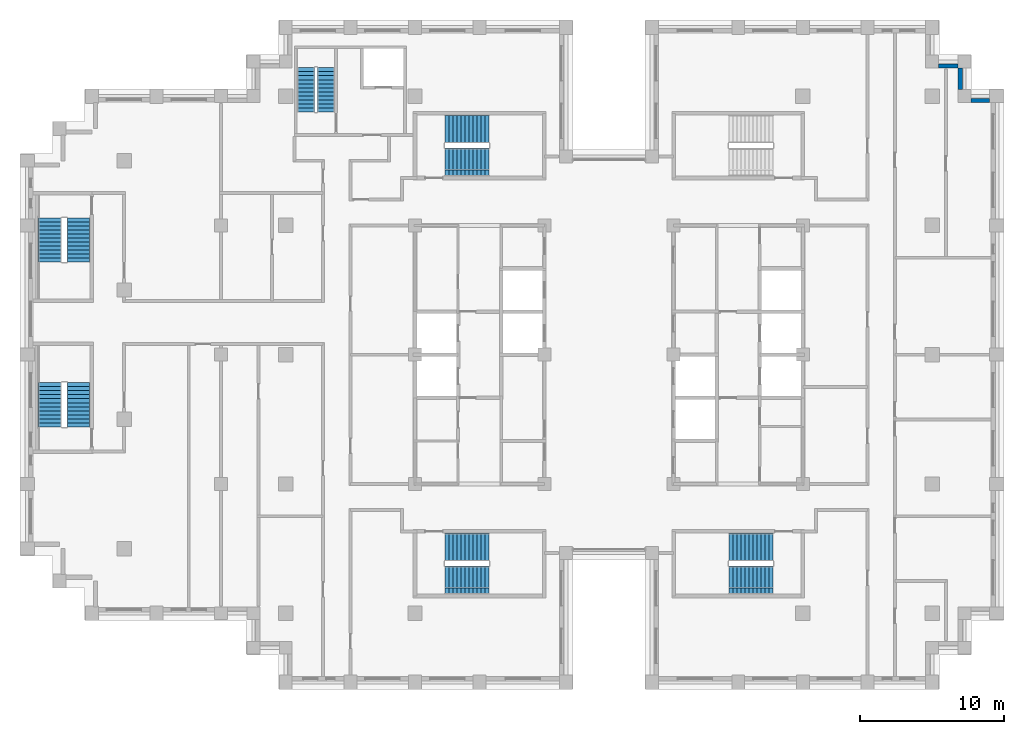
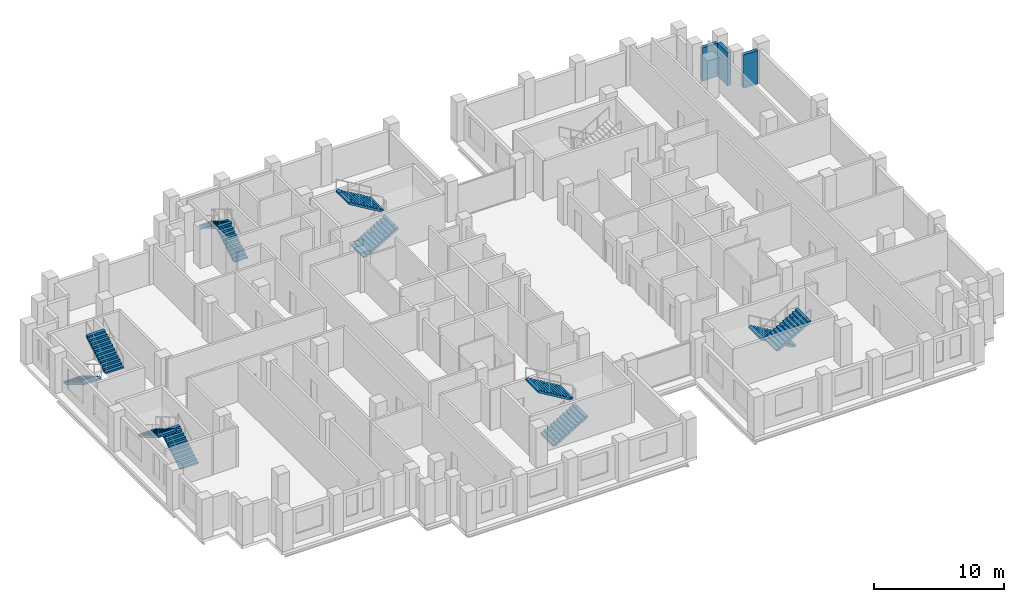
# One storey, part 12 of 15: 12 stair flights, 3 walls, 6 elements without a shape of their own.
"""IFC4 building model written with IfcOpenShell, lengths in metres."""

from ifc_helpers import new_model, si_unit, direction, frame, frame_2d, origin, place, context, subcontext, project, spatial, polyline, rectangle, outline, extrude, material, layer, layer_set, type_object, element, aggregate, save


model = new_model("IFC4")

# Units and contexts
model_context = context("Model", 3, precision=1e-05, world=origin(), true_north=direction((0.0, 1.0)))
body_context = subcontext(model_context, "Body", "Model", "MODEL_VIEW")
ifc_project = project(units=[si_unit("LENGTHUNIT", "METRE"), si_unit("AREAUNIT", "SQUARE_METRE"), si_unit("VOLUMEUNIT", "CUBIC_METRE"), si_unit("PLANEANGLEUNIT", "RADIAN"), si_unit("MASSUNIT", "GRAM", prefix="KILO")], contexts=[model_context])

# Site, building, storey
site_placement = place(None, origin())
site = spatial("IfcSite", under=ifc_project, at=site_placement, CompositionType="ELEMENT")
building_placement = place(site_placement, origin())
building = spatial("IfcBuilding", under=site, at=building_placement, Name="Corbelhall Arena Tower", CompositionType="ELEMENT")
storey_placement = place(building_placement, frame((0.0, 0.0, 200.0)))
storey = spatial("IfcBuildingStorey", under=building, at=storey_placement, Name="L41", CompositionType="ELEMENT", Elevation=200.0)

# Walls
ifc_material_1 = material(Name="Precast concrete C40/50 with granite facing", Category="masonry")
ifc_layer = layer(ifc_material_1, 0.300048828125)
ifc_layer_set = layer_set([ifc_layer], Name="EV-IW1 Infill panel 300")
wall_type = type_object("IfcWallType", Name="EV-IW1 Infill panel 300", PredefinedType="SOLIDWALL", material=ifc_layer_set)
wall_1_placement = place(storey_placement, frame((26.5, 17.699951171875, 0.0), z_axis=(0.0, 0.0, 1.0), x_axis=(-1.0, 0.0, 0.0)))
element("IfcWall", 1, at=wall_1_placement, inside=storey, type_object=wall_type, Name="Infill panel IW1", PredefinedType="SOLIDWALL", context=body_context, shape_type="SweptSolid", body=[
    extrude(rectangle(XDim=1.300048828125, YDim=0.300048828125, at=frame_2d((0.64990234375, 0.0))), origin(), (0.0, 0.0, 1.0), 3.1201171875),
])
wall_2_placement = place(storey_placement, frame((24.449951171875, 18.449951171875, 0.0), z_axis=(0.0, 0.0, 1.0), x_axis=(0.0, 1.0, 0.0)))
element("IfcWall", 2, at=wall_2_placement, inside=storey, type_object=wall_type, Name="Infill panel IW1", PredefinedType="SOLIDWALL", context=body_context, shape_type="SweptSolid", body=[
    extrude(rectangle(XDim=1.5, YDim=0.300048828125, at=frame_2d((0.75, 0.0))), origin(), (0.0, 0.0, 1.0), 3.1201171875),
])
wall_3_placement = place(storey_placement, frame((24.300048828125, 20.10009765625, 0.0), z_axis=(0.0, 0.0, 1.0), x_axis=(-1.0, 0.0, 0.0)))
element("IfcWall", 3, at=wall_3_placement, inside=storey, type_object=wall_type, Name="Infill panel IW1", PredefinedType="SOLIDWALL", context=body_context, shape_type="SweptSolid", body=[
    extrude(rectangle(XDim=1.35009765625, YDim=0.300048828125, at=frame_2d((0.675048828125, 0.0))), origin(), (0.0, 0.0, 1.0), 3.1201171875),
])

# Stair, stair flights
ifc_material_2 = material(Name="Concrete C40/50", Category="concrete")
stair_type = type_object("IfcStairType", Name="IN-ST-TOWER", PredefinedType="HALF_TURN_STAIR", material=ifc_material_2)
stair_1_placement = place(storey_placement, origin())
stair_1 = element("IfcStair", 4, at=stair_1_placement, inside=storey, type_object=stair_type, Name="L41 Exit stair ST1", PredefinedType="HALF_TURN_STAIR")
stair_flight_type = type_object("IfcStairFlightType", Name="IN-SFL-RC", PredefinedType="STRAIGHT", material=ifc_material_2)
stair_flight_1_placement = place(storey_placement, frame((-11.425048828125, 13.39990234375, 0.0), z_axis=(0.0, 0.0, 1.0), x_axis=(1.0, 0.0, 0.0)))
stair_flight_1 = element("IfcStairFlight", 5, at=stair_flight_1_placement, type_object=stair_flight_type, Name="ST1 flight 1", NumberOfRisers=12, NumberOfTreads=11, PredefinedType="STRAIGHT", RiserHeight=0.166666667, TreadLength=0.28, context=body_context, shape_type="SweptSolid", body=[
    extrude(outline(polyline([(0.0, 0.0), (0.0, 0.166748046875), (0.280029296875, 0.166748046875), (0.280029296875, 0.333251953125), (0.56005859375, 0.333251953125), (0.56005859375, 0.5), (0.840087890625, 0.5), (0.840087890625, 0.666748046875), (1.1201171875, 0.666748046875), (1.1201171875, 0.833251953125), (1.39990234375, 0.833251953125), (1.39990234375, 1.0), (1.679931640625, 1.0), (1.679931640625, 1.166748046875), (1.9599609375, 1.166748046875), (1.9599609375, 1.333251953125), (2.239990234375, 1.333251953125), (2.239990234375, 1.5), (2.52001953125, 1.5), (2.52001953125, 1.666748046875), (2.800048828125, 1.666748046875), (2.800048828125, 1.833251953125), (3.080078125, 1.833251953125), (3.080078125, 2.0), (3.080078125, 1.658935546875), (0.29296875, 0.0), (0.0, 0.0)])), frame((0.0, 0.97509765625, 0.0), z_axis=(0.0, -1.0, 0.0), x_axis=(1.0, 0.0, 0.0)), (0.0, 0.0, 1.0), 0.449951171875),
    extrude(outline(polyline([(0.0, 0.0), (0.0, 0.166748046875), (0.280029296875, 0.166748046875), (0.280029296875, 0.333251953125), (0.56005859375, 0.333251953125), (0.56005859375, 0.5), (0.840087890625, 0.5), (0.840087890625, 0.666748046875), (1.1201171875, 0.666748046875), (1.1201171875, 0.833251953125), (1.39990234375, 0.833251953125), (1.39990234375, 1.0), (1.679931640625, 1.0), (1.679931640625, 1.166748046875), (1.9599609375, 1.166748046875), (1.9599609375, 1.333251953125), (2.239990234375, 1.333251953125), (2.239990234375, 1.5), (2.52001953125, 1.5), (2.52001953125, 1.666748046875), (2.800048828125, 1.666748046875), (2.800048828125, 1.833251953125), (3.080078125, 1.833251953125), (3.080078125, 2.0), (3.080078125, 1.658935546875), (0.29296875, 0.0), (0.0, 0.0)])), frame((0.0, 0.52099609375, 0.0), z_axis=(0.0, -1.0, 0.0), x_axis=(1.0, 0.0, 0.0)), (0.0, 0.0, 1.0), 1.0419921875),
    extrude(outline(polyline([(0.0, 0.0), (0.0, 0.166748046875), (0.280029296875, 0.166748046875), (0.280029296875, 0.333251953125), (0.56005859375, 0.333251953125), (0.56005859375, 0.5), (0.840087890625, 0.5), (0.840087890625, 0.666748046875), (1.1201171875, 0.666748046875), (1.1201171875, 0.833251953125), (1.39990234375, 0.833251953125), (1.39990234375, 1.0), (1.679931640625, 1.0), (1.679931640625, 1.166748046875), (1.9599609375, 1.166748046875), (1.9599609375, 1.333251953125), (2.239990234375, 1.333251953125), (2.239990234375, 1.5), (2.52001953125, 1.5), (2.52001953125, 1.666748046875), (2.800048828125, 1.666748046875), (2.800048828125, 1.833251953125), (3.080078125, 1.833251953125), (3.080078125, 2.0), (3.080078125, 1.658935546875), (0.29296875, 0.0), (0.0, 0.0)])), frame((0.0, -0.52490234375, 0.0), z_axis=(0.0, -1.0, 0.0), x_axis=(1.0, 0.0, 0.0)), (0.0, 0.0, 1.0), 0.449951171875),
])
stair_flight_2_placement = place(storey_placement, frame((-8.344970703125, 15.699951171875, 2.0), z_axis=(0.0, 0.0, 1.0), x_axis=(-1.0, 0.0, 0.0)))
stair_flight_2 = element("IfcStairFlight", 6, at=stair_flight_2_placement, type_object=stair_flight_type, Name="ST1 flight 2", NumberOfRisers=12, NumberOfTreads=11, PredefinedType="STRAIGHT", RiserHeight=0.166666667, TreadLength=0.28, context=body_context, shape_type="SweptSolid", body=[
    extrude(outline(polyline([(0.0, 0.0), (0.0, 0.166748046875), (0.280029296875, 0.166748046875), (0.280029296875, 0.333251953125), (0.56005859375, 0.333251953125), (0.56005859375, 0.5), (0.840087890625, 0.5), (0.840087890625, 0.666748046875), (1.1201171875, 0.666748046875), (1.1201171875, 0.833251953125), (1.39990234375, 0.833251953125), (1.39990234375, 1.0), (1.679931640625, 1.0), (1.679931640625, 1.166748046875), (1.9599609375, 1.166748046875), (1.9599609375, 1.333251953125), (2.239990234375, 1.333251953125), (2.239990234375, 1.5), (2.52001953125, 1.5), (2.52001953125, 1.666748046875), (2.800048828125, 1.666748046875), (2.800048828125, 1.833251953125), (3.080078125, 1.833251953125), (3.080078125, 2.0), (3.080078125, 1.658935546875), (0.29296875, 0.0), (0.0, 0.0)])), frame((0.0, 0.97509765625, 0.0), z_axis=(0.0, -1.0, 0.0), x_axis=(1.0, 0.0, 0.0)), (0.0, 0.0, 1.0), 0.449951171875),
    extrude(outline(polyline([(0.0, 0.0), (0.0, 0.166748046875), (0.280029296875, 0.166748046875), (0.280029296875, 0.333251953125), (0.56005859375, 0.333251953125), (0.56005859375, 0.5), (0.840087890625, 0.5), (0.840087890625, 0.666748046875), (1.1201171875, 0.666748046875), (1.1201171875, 0.833251953125), (1.39990234375, 0.833251953125), (1.39990234375, 1.0), (1.679931640625, 1.0), (1.679931640625, 1.166748046875), (1.9599609375, 1.166748046875), (1.9599609375, 1.333251953125), (2.239990234375, 1.333251953125), (2.239990234375, 1.5), (2.52001953125, 1.5), (2.52001953125, 1.666748046875), (2.800048828125, 1.666748046875), (2.800048828125, 1.833251953125), (3.080078125, 1.833251953125), (3.080078125, 2.0), (3.080078125, 1.658935546875), (0.29296875, 0.0), (0.0, 0.0)])), frame((0.0, 0.52099609375, 0.0), z_axis=(0.0, -1.0, 0.0), x_axis=(1.0, 0.0, 0.0)), (0.0, 0.0, 1.0), 1.0419921875),
    extrude(outline(polyline([(0.0, 0.0), (0.0, 0.166748046875), (0.280029296875, 0.166748046875), (0.280029296875, 0.333251953125), (0.56005859375, 0.333251953125), (0.56005859375, 0.5), (0.840087890625, 0.5), (0.840087890625, 0.666748046875), (1.1201171875, 0.666748046875), (1.1201171875, 0.833251953125), (1.39990234375, 0.833251953125), (1.39990234375, 1.0), (1.679931640625, 1.0), (1.679931640625, 1.166748046875), (1.9599609375, 1.166748046875), (1.9599609375, 1.333251953125), (2.239990234375, 1.333251953125), (2.239990234375, 1.5), (2.52001953125, 1.5), (2.52001953125, 1.666748046875), (2.800048828125, 1.666748046875), (2.800048828125, 1.833251953125), (3.080078125, 1.833251953125), (3.080078125, 2.0), (3.080078125, 1.658935546875), (0.29296875, 0.0), (0.0, 0.0)])), frame((0.0, -0.52490234375, 0.0), z_axis=(0.0, -1.0, 0.0), x_axis=(1.0, 0.0, 0.0)), (0.0, 0.0, 1.0), 0.449951171875),
])
aggregate(stair_1, [stair_flight_1, stair_flight_2])

stair_2_placement = place(storey_placement, origin())
stair_2 = element("IfcStair", 7, at=stair_2_placement, inside=storey, type_object=stair_type, Name="L41 Exit stair ST2", PredefinedType="HALF_TURN_STAIR")
stair_flight_3_placement = place(storey_placement, frame((-11.425048828125, -15.699951171875, 0.0), z_axis=(0.0, 0.0, 1.0), x_axis=(1.0, 0.0, 0.0)))
stair_flight_3 = element("IfcStairFlight", 8, at=stair_flight_3_placement, type_object=stair_flight_type, Name="ST2 flight 1", NumberOfRisers=12, NumberOfTreads=11, PredefinedType="STRAIGHT", RiserHeight=0.166666667, TreadLength=0.28, context=body_context, shape_type="SweptSolid", body=[
    extrude(outline(polyline([(0.0, 0.0), (0.0, 0.166748046875), (0.280029296875, 0.166748046875), (0.280029296875, 0.333251953125), (0.56005859375, 0.333251953125), (0.56005859375, 0.5), (0.840087890625, 0.5), (0.840087890625, 0.666748046875), (1.1201171875, 0.666748046875), (1.1201171875, 0.833251953125), (1.39990234375, 0.833251953125), (1.39990234375, 1.0), (1.679931640625, 1.0), (1.679931640625, 1.166748046875), (1.9599609375, 1.166748046875), (1.9599609375, 1.333251953125), (2.239990234375, 1.333251953125), (2.239990234375, 1.5), (2.52001953125, 1.5), (2.52001953125, 1.666748046875), (2.800048828125, 1.666748046875), (2.800048828125, 1.833251953125), (3.080078125, 1.833251953125), (3.080078125, 2.0), (3.080078125, 1.658935546875), (0.29296875, 0.0), (0.0, 0.0)])), frame((0.0, 0.97509765625, 0.0), z_axis=(0.0, -1.0, 0.0), x_axis=(1.0, 0.0, 0.0)), (0.0, 0.0, 1.0), 0.449951171875),
    extrude(outline(polyline([(0.0, 0.0), (0.0, 0.166748046875), (0.280029296875, 0.166748046875), (0.280029296875, 0.333251953125), (0.56005859375, 0.333251953125), (0.56005859375, 0.5), (0.840087890625, 0.5), (0.840087890625, 0.666748046875), (1.1201171875, 0.666748046875), (1.1201171875, 0.833251953125), (1.39990234375, 0.833251953125), (1.39990234375, 1.0), (1.679931640625, 1.0), (1.679931640625, 1.166748046875), (1.9599609375, 1.166748046875), (1.9599609375, 1.333251953125), (2.239990234375, 1.333251953125), (2.239990234375, 1.5), (2.52001953125, 1.5), (2.52001953125, 1.666748046875), (2.800048828125, 1.666748046875), (2.800048828125, 1.833251953125), (3.080078125, 1.833251953125), (3.080078125, 2.0), (3.080078125, 1.658935546875), (0.29296875, 0.0), (0.0, 0.0)])), frame((0.0, 0.52099609375, 0.0), z_axis=(0.0, -1.0, 0.0), x_axis=(1.0, 0.0, 0.0)), (0.0, 0.0, 1.0), 1.0419921875),
    extrude(outline(polyline([(0.0, 0.0), (0.0, 0.166748046875), (0.280029296875, 0.166748046875), (0.280029296875, 0.333251953125), (0.56005859375, 0.333251953125), (0.56005859375, 0.5), (0.840087890625, 0.5), (0.840087890625, 0.666748046875), (1.1201171875, 0.666748046875), (1.1201171875, 0.833251953125), (1.39990234375, 0.833251953125), (1.39990234375, 1.0), (1.679931640625, 1.0), (1.679931640625, 1.166748046875), (1.9599609375, 1.166748046875), (1.9599609375, 1.333251953125), (2.239990234375, 1.333251953125), (2.239990234375, 1.5), (2.52001953125, 1.5), (2.52001953125, 1.666748046875), (2.800048828125, 1.666748046875), (2.800048828125, 1.833251953125), (3.080078125, 1.833251953125), (3.080078125, 2.0), (3.080078125, 1.658935546875), (0.29296875, 0.0), (0.0, 0.0)])), frame((0.0, -0.52490234375, 0.0), z_axis=(0.0, -1.0, 0.0), x_axis=(1.0, 0.0, 0.0)), (0.0, 0.0, 1.0), 0.449951171875),
])
stair_flight_4_placement = place(storey_placement, frame((-8.344970703125, -13.39990234375, 2.0), z_axis=(0.0, 0.0, 1.0), x_axis=(-1.0, 0.0, 0.0)))
stair_flight_4 = element("IfcStairFlight", 9, at=stair_flight_4_placement, type_object=stair_flight_type, Name="ST2 flight 2", NumberOfRisers=12, NumberOfTreads=11, PredefinedType="STRAIGHT", RiserHeight=0.166666667, TreadLength=0.28, context=body_context, shape_type="SweptSolid", body=[
    extrude(outline(polyline([(0.0, 0.0), (0.0, 0.166748046875), (0.280029296875, 0.166748046875), (0.280029296875, 0.333251953125), (0.56005859375, 0.333251953125), (0.56005859375, 0.5), (0.840087890625, 0.5), (0.840087890625, 0.666748046875), (1.1201171875, 0.666748046875), (1.1201171875, 0.833251953125), (1.39990234375, 0.833251953125), (1.39990234375, 1.0), (1.679931640625, 1.0), (1.679931640625, 1.166748046875), (1.9599609375, 1.166748046875), (1.9599609375, 1.333251953125), (2.239990234375, 1.333251953125), (2.239990234375, 1.5), (2.52001953125, 1.5), (2.52001953125, 1.666748046875), (2.800048828125, 1.666748046875), (2.800048828125, 1.833251953125), (3.080078125, 1.833251953125), (3.080078125, 2.0), (3.080078125, 1.658935546875), (0.29296875, 0.0), (0.0, 0.0)])), frame((0.0, 0.97509765625, 0.0), z_axis=(0.0, -1.0, 0.0), x_axis=(1.0, 0.0, 0.0)), (0.0, 0.0, 1.0), 0.449951171875),
    extrude(outline(polyline([(0.0, 0.0), (0.0, 0.166748046875), (0.280029296875, 0.166748046875), (0.280029296875, 0.333251953125), (0.56005859375, 0.333251953125), (0.56005859375, 0.5), (0.840087890625, 0.5), (0.840087890625, 0.666748046875), (1.1201171875, 0.666748046875), (1.1201171875, 0.833251953125), (1.39990234375, 0.833251953125), (1.39990234375, 1.0), (1.679931640625, 1.0), (1.679931640625, 1.166748046875), (1.9599609375, 1.166748046875), (1.9599609375, 1.333251953125), (2.239990234375, 1.333251953125), (2.239990234375, 1.5), (2.52001953125, 1.5), (2.52001953125, 1.666748046875), (2.800048828125, 1.666748046875), (2.800048828125, 1.833251953125), (3.080078125, 1.833251953125), (3.080078125, 2.0), (3.080078125, 1.658935546875), (0.29296875, 0.0), (0.0, 0.0)])), frame((0.0, 0.52099609375, 0.0), z_axis=(0.0, -1.0, 0.0), x_axis=(1.0, 0.0, 0.0)), (0.0, 0.0, 1.0), 1.0419921875),
    extrude(outline(polyline([(0.0, 0.0), (0.0, 0.166748046875), (0.280029296875, 0.166748046875), (0.280029296875, 0.333251953125), (0.56005859375, 0.333251953125), (0.56005859375, 0.5), (0.840087890625, 0.5), (0.840087890625, 0.666748046875), (1.1201171875, 0.666748046875), (1.1201171875, 0.833251953125), (1.39990234375, 0.833251953125), (1.39990234375, 1.0), (1.679931640625, 1.0), (1.679931640625, 1.166748046875), (1.9599609375, 1.166748046875), (1.9599609375, 1.333251953125), (2.239990234375, 1.333251953125), (2.239990234375, 1.5), (2.52001953125, 1.5), (2.52001953125, 1.666748046875), (2.800048828125, 1.666748046875), (2.800048828125, 1.833251953125), (3.080078125, 1.833251953125), (3.080078125, 2.0), (3.080078125, 1.658935546875), (0.29296875, 0.0), (0.0, 0.0)])), frame((0.0, -0.52490234375, 0.0), z_axis=(0.0, -1.0, 0.0), x_axis=(1.0, 0.0, 0.0)), (0.0, 0.0, 1.0), 0.449951171875),
])
aggregate(stair_2, [stair_flight_3, stair_flight_4])

stair_3_placement = place(storey_placement, origin())
stair_3 = element("IfcStair", 10, at=stair_3_placement, inside=storey, type_object=stair_type, Name="L41 Exit stair ST4", PredefinedType="HALF_TURN_STAIR")
stair_flight_5_placement = place(storey_placement, frame((11.425048828125, -13.39990234375, 0.0), z_axis=(0.0, 0.0, 1.0), x_axis=(-1.0, 0.0, 0.0)))
stair_flight_5 = element("IfcStairFlight", 11, at=stair_flight_5_placement, type_object=stair_flight_type, Name="ST4 flight 1", NumberOfRisers=12, NumberOfTreads=11, PredefinedType="STRAIGHT", RiserHeight=0.166666667, TreadLength=0.28, context=body_context, shape_type="SweptSolid", body=[
    extrude(outline(polyline([(0.0, 0.0), (0.0, 0.166748046875), (0.280029296875, 0.166748046875), (0.280029296875, 0.333251953125), (0.56005859375, 0.333251953125), (0.56005859375, 0.5), (0.840087890625, 0.5), (0.840087890625, 0.666748046875), (1.1201171875, 0.666748046875), (1.1201171875, 0.833251953125), (1.39990234375, 0.833251953125), (1.39990234375, 1.0), (1.679931640625, 1.0), (1.679931640625, 1.166748046875), (1.9599609375, 1.166748046875), (1.9599609375, 1.333251953125), (2.239990234375, 1.333251953125), (2.239990234375, 1.5), (2.52001953125, 1.5), (2.52001953125, 1.666748046875), (2.800048828125, 1.666748046875), (2.800048828125, 1.833251953125), (3.080078125, 1.833251953125), (3.080078125, 2.0), (3.080078125, 1.658935546875), (0.29296875, 0.0), (0.0, 0.0)])), frame((0.0, 0.97509765625, 0.0), z_axis=(0.0, -1.0, 0.0), x_axis=(1.0, 0.0, 0.0)), (0.0, 0.0, 1.0), 0.449951171875),
    extrude(outline(polyline([(0.0, 0.0), (0.0, 0.166748046875), (0.280029296875, 0.166748046875), (0.280029296875, 0.333251953125), (0.56005859375, 0.333251953125), (0.56005859375, 0.5), (0.840087890625, 0.5), (0.840087890625, 0.666748046875), (1.1201171875, 0.666748046875), (1.1201171875, 0.833251953125), (1.39990234375, 0.833251953125), (1.39990234375, 1.0), (1.679931640625, 1.0), (1.679931640625, 1.166748046875), (1.9599609375, 1.166748046875), (1.9599609375, 1.333251953125), (2.239990234375, 1.333251953125), (2.239990234375, 1.5), (2.52001953125, 1.5), (2.52001953125, 1.666748046875), (2.800048828125, 1.666748046875), (2.800048828125, 1.833251953125), (3.080078125, 1.833251953125), (3.080078125, 2.0), (3.080078125, 1.658935546875), (0.29296875, 0.0), (0.0, 0.0)])), frame((0.0, 0.52099609375, 0.0), z_axis=(0.0, -1.0, 0.0), x_axis=(1.0, 0.0, 0.0)), (0.0, 0.0, 1.0), 1.0419921875),
    extrude(outline(polyline([(0.0, 0.0), (0.0, 0.166748046875), (0.280029296875, 0.166748046875), (0.280029296875, 0.333251953125), (0.56005859375, 0.333251953125), (0.56005859375, 0.5), (0.840087890625, 0.5), (0.840087890625, 0.666748046875), (1.1201171875, 0.666748046875), (1.1201171875, 0.833251953125), (1.39990234375, 0.833251953125), (1.39990234375, 1.0), (1.679931640625, 1.0), (1.679931640625, 1.166748046875), (1.9599609375, 1.166748046875), (1.9599609375, 1.333251953125), (2.239990234375, 1.333251953125), (2.239990234375, 1.5), (2.52001953125, 1.5), (2.52001953125, 1.666748046875), (2.800048828125, 1.666748046875), (2.800048828125, 1.833251953125), (3.080078125, 1.833251953125), (3.080078125, 2.0), (3.080078125, 1.658935546875), (0.29296875, 0.0), (0.0, 0.0)])), frame((0.0, -0.52490234375, 0.0), z_axis=(0.0, -1.0, 0.0), x_axis=(1.0, 0.0, 0.0)), (0.0, 0.0, 1.0), 0.449951171875),
])
stair_flight_6_placement = place(storey_placement, frame((8.344970703125, -15.699951171875, 2.0), z_axis=(0.0, 0.0, 1.0), x_axis=(1.0, 0.0, 0.0)))
stair_flight_6 = element("IfcStairFlight", 12, at=stair_flight_6_placement, type_object=stair_flight_type, Name="ST4 flight 2", NumberOfRisers=12, NumberOfTreads=11, PredefinedType="STRAIGHT", RiserHeight=0.166666667, TreadLength=0.28, context=body_context, shape_type="SweptSolid", body=[
    extrude(outline(polyline([(0.0, 0.0), (0.0, 0.166748046875), (0.280029296875, 0.166748046875), (0.280029296875, 0.333251953125), (0.56005859375, 0.333251953125), (0.56005859375, 0.5), (0.840087890625, 0.5), (0.840087890625, 0.666748046875), (1.1201171875, 0.666748046875), (1.1201171875, 0.833251953125), (1.39990234375, 0.833251953125), (1.39990234375, 1.0), (1.679931640625, 1.0), (1.679931640625, 1.166748046875), (1.9599609375, 1.166748046875), (1.9599609375, 1.333251953125), (2.239990234375, 1.333251953125), (2.239990234375, 1.5), (2.52001953125, 1.5), (2.52001953125, 1.666748046875), (2.800048828125, 1.666748046875), (2.800048828125, 1.833251953125), (3.080078125, 1.833251953125), (3.080078125, 2.0), (3.080078125, 1.658935546875), (0.29296875, 0.0), (0.0, 0.0)])), frame((0.0, 0.97509765625, 0.0), z_axis=(0.0, -1.0, 0.0), x_axis=(1.0, 0.0, 0.0)), (0.0, 0.0, 1.0), 0.449951171875),
    extrude(outline(polyline([(0.0, 0.0), (0.0, 0.166748046875), (0.280029296875, 0.166748046875), (0.280029296875, 0.333251953125), (0.56005859375, 0.333251953125), (0.56005859375, 0.5), (0.840087890625, 0.5), (0.840087890625, 0.666748046875), (1.1201171875, 0.666748046875), (1.1201171875, 0.833251953125), (1.39990234375, 0.833251953125), (1.39990234375, 1.0), (1.679931640625, 1.0), (1.679931640625, 1.166748046875), (1.9599609375, 1.166748046875), (1.9599609375, 1.333251953125), (2.239990234375, 1.333251953125), (2.239990234375, 1.5), (2.52001953125, 1.5), (2.52001953125, 1.666748046875), (2.800048828125, 1.666748046875), (2.800048828125, 1.833251953125), (3.080078125, 1.833251953125), (3.080078125, 2.0), (3.080078125, 1.658935546875), (0.29296875, 0.0), (0.0, 0.0)])), frame((0.0, 0.52099609375, 0.0), z_axis=(0.0, -1.0, 0.0), x_axis=(1.0, 0.0, 0.0)), (0.0, 0.0, 1.0), 1.0419921875),
    extrude(outline(polyline([(0.0, 0.0), (0.0, 0.166748046875), (0.280029296875, 0.166748046875), (0.280029296875, 0.333251953125), (0.56005859375, 0.333251953125), (0.56005859375, 0.5), (0.840087890625, 0.5), (0.840087890625, 0.666748046875), (1.1201171875, 0.666748046875), (1.1201171875, 0.833251953125), (1.39990234375, 0.833251953125), (1.39990234375, 1.0), (1.679931640625, 1.0), (1.679931640625, 1.166748046875), (1.9599609375, 1.166748046875), (1.9599609375, 1.333251953125), (2.239990234375, 1.333251953125), (2.239990234375, 1.5), (2.52001953125, 1.5), (2.52001953125, 1.666748046875), (2.800048828125, 1.666748046875), (2.800048828125, 1.833251953125), (3.080078125, 1.833251953125), (3.080078125, 2.0), (3.080078125, 1.658935546875), (0.29296875, 0.0), (0.0, 0.0)])), frame((0.0, -0.52490234375, 0.0), z_axis=(0.0, -1.0, 0.0), x_axis=(1.0, 0.0, 0.0)), (0.0, 0.0, 1.0), 0.449951171875),
])
aggregate(stair_3, [stair_flight_5, stair_flight_6])

stair_4_placement = place(storey_placement, origin())
stair_4 = element("IfcStair", 13, at=stair_4_placement, inside=storey, type_object=stair_type, Name="L41 Exit stair SC1", PredefinedType="HALF_TURN_STAIR")
stair_flight_7_placement = place(storey_placement, frame((-38.89990234375, 9.52490234375, 0.0), z_axis=(0.0, 0.0, 1.0), x_axis=(0.0, -1.0, 0.0)))
stair_flight_7 = element("IfcStairFlight", 14, at=stair_flight_7_placement, type_object=stair_flight_type, Name="SC1 flight 1", NumberOfRisers=12, NumberOfTreads=11, PredefinedType="STRAIGHT", RiserHeight=0.166666667, TreadLength=0.28, context=body_context, shape_type="SweptSolid", body=[
    extrude(outline(polyline([(0.0, 0.0), (0.0, 0.166748046875), (0.280029296875, 0.166748046875), (0.280029296875, 0.333251953125), (0.56005859375, 0.333251953125), (0.56005859375, 0.5), (0.840087890625, 0.5), (0.840087890625, 0.666748046875), (1.1201171875, 0.666748046875), (1.1201171875, 0.833251953125), (1.39990234375, 0.833251953125), (1.39990234375, 1.0), (1.679931640625, 1.0), (1.679931640625, 1.166748046875), (1.9599609375, 1.166748046875), (1.9599609375, 1.333251953125), (2.239990234375, 1.333251953125), (2.239990234375, 1.5), (2.52001953125, 1.5), (2.52001953125, 1.666748046875), (2.800048828125, 1.666748046875), (2.800048828125, 1.833251953125), (3.080078125, 1.833251953125), (3.080078125, 2.0), (3.080078125, 1.658935546875), (0.29296875, 0.0), (0.0, 0.0)])), frame((0.0, 0.800048828125, 0.0), z_axis=(0.0, -1.0, 0.0), x_axis=(1.0, 0.0, 0.0)), (0.0, 0.0, 1.0), 1.60009765625),
])
stair_flight_8_placement = place(storey_placement, frame((-36.925048828125, 6.445068359375, 2.0), z_axis=(0.0, 0.0, 1.0), x_axis=(0.0, 1.0, 0.0)))
stair_flight_8 = element("IfcStairFlight", 15, at=stair_flight_8_placement, type_object=stair_flight_type, Name="SC1 flight 2", NumberOfRisers=12, NumberOfTreads=11, PredefinedType="STRAIGHT", RiserHeight=0.166666667, TreadLength=0.28, context=body_context, shape_type="SweptSolid", body=[
    extrude(outline(polyline([(0.0, 0.0), (0.0, 0.166748046875), (0.280029296875, 0.166748046875), (0.280029296875, 0.333251953125), (0.56005859375, 0.333251953125), (0.56005859375, 0.5), (0.840087890625, 0.5), (0.840087890625, 0.666748046875), (1.1201171875, 0.666748046875), (1.1201171875, 0.833251953125), (1.39990234375, 0.833251953125), (1.39990234375, 1.0), (1.679931640625, 1.0), (1.679931640625, 1.166748046875), (1.9599609375, 1.166748046875), (1.9599609375, 1.333251953125), (2.239990234375, 1.333251953125), (2.239990234375, 1.5), (2.52001953125, 1.5), (2.52001953125, 1.666748046875), (2.800048828125, 1.666748046875), (2.800048828125, 1.833251953125), (3.080078125, 1.833251953125), (3.080078125, 2.0), (3.080078125, 1.658935546875), (0.29296875, 0.0), (0.0, 0.0)])), frame((0.0, 0.800048828125, 0.0), z_axis=(0.0, -1.0, 0.0), x_axis=(1.0, 0.0, 0.0)), (0.0, 0.0, 1.0), 1.60009765625),
])
aggregate(stair_4, [stair_flight_7, stair_flight_8])

stair_5_placement = place(storey_placement, origin())
stair_5 = element("IfcStair", 16, at=stair_5_placement, inside=storey, type_object=stair_type, Name="L41 Exit stair SC2", PredefinedType="HALF_TURN_STAIR")
stair_flight_9_placement = place(storey_placement, frame((-36.925048828125, -5.02490234375, 0.0), z_axis=(0.0, 0.0, 1.0), x_axis=(0.0, 1.0, 0.0)))
stair_flight_9 = element("IfcStairFlight", 17, at=stair_flight_9_placement, type_object=stair_flight_type, Name="SC2 flight 1", NumberOfRisers=12, NumberOfTreads=11, PredefinedType="STRAIGHT", RiserHeight=0.166666667, TreadLength=0.28, context=body_context, shape_type="SweptSolid", body=[
    extrude(outline(polyline([(0.0, 0.0), (0.0, 0.166748046875), (0.280029296875, 0.166748046875), (0.280029296875, 0.333251953125), (0.56005859375, 0.333251953125), (0.56005859375, 0.5), (0.840087890625, 0.5), (0.840087890625, 0.666748046875), (1.1201171875, 0.666748046875), (1.1201171875, 0.833251953125), (1.39990234375, 0.833251953125), (1.39990234375, 1.0), (1.679931640625, 1.0), (1.679931640625, 1.166748046875), (1.9599609375, 1.166748046875), (1.9599609375, 1.333251953125), (2.239990234375, 1.333251953125), (2.239990234375, 1.5), (2.52001953125, 1.5), (2.52001953125, 1.666748046875), (2.800048828125, 1.666748046875), (2.800048828125, 1.833251953125), (3.080078125, 1.833251953125), (3.080078125, 2.0), (3.080078125, 1.658935546875), (0.29296875, 0.0), (0.0, 0.0)])), frame((0.0, 0.800048828125, 0.0), z_axis=(0.0, -1.0, 0.0), x_axis=(1.0, 0.0, 0.0)), (0.0, 0.0, 1.0), 1.60009765625),
])
stair_flight_10_placement = place(storey_placement, frame((-38.89990234375, -1.945068359375, 2.0), z_axis=(0.0, 0.0, 1.0), x_axis=(0.0, -1.0, 0.0)))
stair_flight_10 = element("IfcStairFlight", 18, at=stair_flight_10_placement, type_object=stair_flight_type, Name="SC2 flight 2", NumberOfRisers=12, NumberOfTreads=11, PredefinedType="STRAIGHT", RiserHeight=0.166666667, TreadLength=0.28, context=body_context, shape_type="SweptSolid", body=[
    extrude(outline(polyline([(0.0, 0.0), (0.0, 0.166748046875), (0.280029296875, 0.166748046875), (0.280029296875, 0.333251953125), (0.56005859375, 0.333251953125), (0.56005859375, 0.5), (0.840087890625, 0.5), (0.840087890625, 0.666748046875), (1.1201171875, 0.666748046875), (1.1201171875, 0.833251953125), (1.39990234375, 0.833251953125), (1.39990234375, 1.0), (1.679931640625, 1.0), (1.679931640625, 1.166748046875), (1.9599609375, 1.166748046875), (1.9599609375, 1.333251953125), (2.239990234375, 1.333251953125), (2.239990234375, 1.5), (2.52001953125, 1.5), (2.52001953125, 1.666748046875), (2.800048828125, 1.666748046875), (2.800048828125, 1.833251953125), (3.080078125, 1.833251953125), (3.080078125, 2.0), (3.080078125, 1.658935546875), (0.29296875, 0.0), (0.0, 0.0)])), frame((0.0, 0.800048828125, 0.0), z_axis=(0.0, -1.0, 0.0), x_axis=(1.0, 0.0, 0.0)), (0.0, 0.0, 1.0), 1.60009765625),
])
aggregate(stair_5, [stair_flight_9, stair_flight_10])

stair_6_placement = place(storey_placement, origin())
stair_6 = element("IfcStair", 19, at=stair_6_placement, inside=storey, type_object=stair_type, Name="L41 Exit stair ST5", PredefinedType="HALF_TURN_STAIR")
stair_flight_11_placement = place(storey_placement, frame((-19.695068359375, 16.89990234375, 0.0), z_axis=(0.0, 0.0, 1.0), x_axis=(0.0, 1.0, 0.0)))
stair_flight_11 = element("IfcStairFlight", 20, at=stair_flight_11_placement, type_object=stair_flight_type, Name="ST5 flight 1", NumberOfRisers=12, NumberOfTreads=11, PredefinedType="STRAIGHT", RiserHeight=0.166666667, TreadLength=0.28, context=body_context, shape_type="SweptSolid", body=[
    extrude(outline(polyline([(0.0, 0.0), (0.0, 0.166748046875), (0.280029296875, 0.166748046875), (0.280029296875, 0.333251953125), (0.56005859375, 0.333251953125), (0.56005859375, 0.5), (0.840087890625, 0.5), (0.840087890625, 0.666748046875), (1.1201171875, 0.666748046875), (1.1201171875, 0.833251953125), (1.39990234375, 0.833251953125), (1.39990234375, 1.0), (1.679931640625, 1.0), (1.679931640625, 1.166748046875), (1.9599609375, 1.166748046875), (1.9599609375, 1.333251953125), (2.239990234375, 1.333251953125), (2.239990234375, 1.5), (2.52001953125, 1.5), (2.52001953125, 1.666748046875), (2.800048828125, 1.666748046875), (2.800048828125, 1.833251953125), (3.080078125, 1.833251953125), (3.080078125, 2.0), (3.080078125, 1.658935546875), (0.29296875, 0.0), (0.0, 0.0)])), frame((0.0, 0.60009765625, 0.0), z_axis=(0.0, -1.0, 0.0), x_axis=(1.0, 0.0, 0.0)), (0.0, 0.0, 1.0), 1.199951171875),
])
stair_flight_12_placement = place(storey_placement, frame((-21.094970703125, 19.97998046875, 2.0), z_axis=(0.0, 0.0, 1.0), x_axis=(0.0, -1.0, 0.0)))
stair_flight_12 = element("IfcStairFlight", 21, at=stair_flight_12_placement, type_object=stair_flight_type, Name="ST5 flight 2", NumberOfRisers=12, NumberOfTreads=11, PredefinedType="STRAIGHT", RiserHeight=0.166666667, TreadLength=0.28, context=body_context, shape_type="SweptSolid", body=[
    extrude(outline(polyline([(0.0, 0.0), (0.0, 0.166748046875), (0.280029296875, 0.166748046875), (0.280029296875, 0.333251953125), (0.56005859375, 0.333251953125), (0.56005859375, 0.5), (0.840087890625, 0.5), (0.840087890625, 0.666748046875), (1.1201171875, 0.666748046875), (1.1201171875, 0.833251953125), (1.39990234375, 0.833251953125), (1.39990234375, 1.0), (1.679931640625, 1.0), (1.679931640625, 1.166748046875), (1.9599609375, 1.166748046875), (1.9599609375, 1.333251953125), (2.239990234375, 1.333251953125), (2.239990234375, 1.5), (2.52001953125, 1.5), (2.52001953125, 1.666748046875), (2.800048828125, 1.666748046875), (2.800048828125, 1.833251953125), (3.080078125, 1.833251953125), (3.080078125, 2.0), (3.080078125, 1.658935546875), (0.29296875, 0.0), (0.0, 0.0)])), frame((0.0, 0.60009765625, 0.0), z_axis=(0.0, -1.0, 0.0), x_axis=(1.0, 0.0, 0.0)), (0.0, 0.0, 1.0), 1.199951171875),
])
aggregate(stair_6, [stair_flight_11, stair_flight_12])

save(model, "model.ifc")
